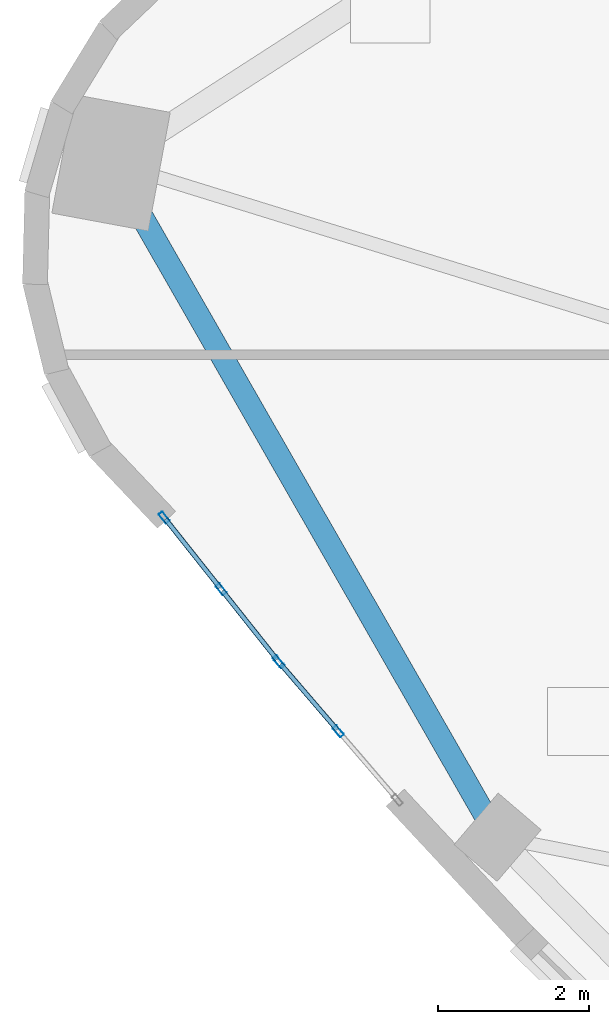
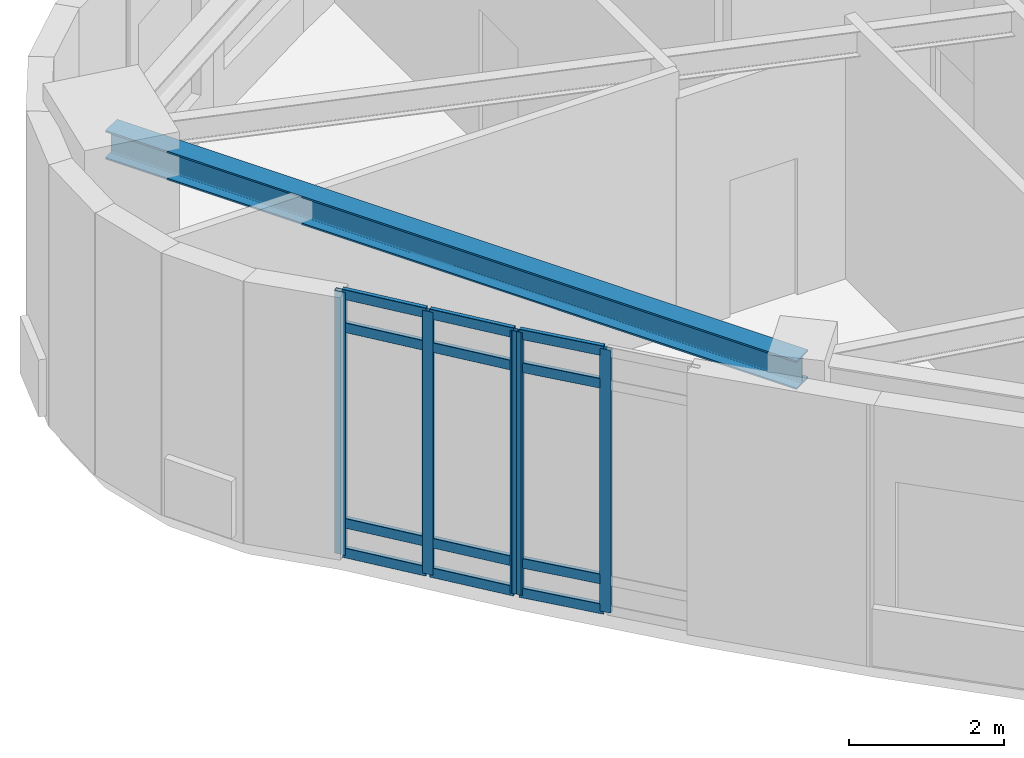
# One storey, part 5 of 19: 17 members, 1 beam, 2 elements without a shape of their own.
"""IFC4 building model written with IfcOpenShell, lengths in metres."""

from ifc_helpers import new_model, si_unit, direction, frame, origin, origin_2d, place, context, subcontext, project, spatial, hollow_rectangle, i_section, extrude, material, layer, layer_set, material_profile, profile_set, type_object, element, aggregate, save


model = new_model("IFC4")

# Units and contexts
model_context = context("Model", 3, precision=1e-05, world=origin(), true_north=direction((0.0, 1.0)))
body_context = subcontext(model_context, "Body", "Model", "MODEL_VIEW")
ifc_project = project(units=[si_unit("LENGTHUNIT", "METRE"), si_unit("AREAUNIT", "SQUARE_METRE"), si_unit("VOLUMEUNIT", "CUBIC_METRE"), si_unit("PLANEANGLEUNIT", "RADIAN"), si_unit("MASSUNIT", "GRAM", prefix="KILO")], contexts=[model_context])

# Site, building, storey
site_placement = place(None, origin())
site = spatial("IfcSite", under=ifc_project, at=site_placement, CompositionType="ELEMENT")
building_placement = place(site_placement, origin())
building = spatial("IfcBuilding", under=site, at=building_placement, Name="Ndelora Gate Hotel", CompositionType="ELEMENT")
storey_placement = place(building_placement, frame((0.0, 0.0, 286.0)))
storey = spatial("IfcBuildingStorey", under=building, at=storey_placement, Name="L71", CompositionType="ELEMENT", Elevation=286.0)

# Beam
ifc_material_1 = material(Name="Steel S355", Category="steel")
ifc_material_profile_1 = material_profile(ifc_material_1, i_section(OverallWidth=0.300048828125, OverallDepth=0.449951171875, WebThickness=0.013916015625, FlangeThickness=0.02587890625, FilletRadius=0.027099609375, at=origin_2d()), Name="HEB 450")
ifc_profile_set_1 = profile_set([ifc_material_profile_1], Name="Steel S355")
beam_type = type_object("IfcBeamType", Name="BM-RING-450", PredefinedType="SPANDREL", material=ifc_profile_set_1)
beam_placement = place(storey_placement, frame((-19.949951171875, 3.697509765625, 3.905029296875), z_axis=(0.497255333538, -0.867604249222, 0.0), x_axis=(0.867604249222, 0.497255333538, 0.0)))
element("IfcBeam", 1, at=beam_placement, inside=storey, type_object=beam_type, Name="L71 structural beam RB-5", PredefinedType="SPANDREL", context=body_context, shape_type="SweptSolid", body=[
    extrude(i_section(OverallWidth=0.300048828125, OverallDepth=0.449951171875, WebThickness=0.013916015625, FlangeThickness=0.02587890625, FilletRadius=0.027099609375, at=origin_2d()), origin(), (0.0, 0.0, 1.0), 10.3115234375),
])

# Curtain wall, members
ifc_material_2 = material(Name="Bronze Anodised Unitised Aluminium and Low-E Glass", Category="aluminium")
ifc_layer = layer(ifc_material_2, 0.219970703125)
ifc_layer_set = layer_set([ifc_layer], Name="Bronze Anodised Unitised Aluminium and Low-E Glass")
curtain_wall_type = type_object("IfcCurtainWallType", Name="CW-SYS-7", PredefinedType="NOTDEFINED", material=ifc_layer_set)
curtain_wall_1_placement = place(storey_placement, origin())
curtain_wall_1 = element("IfcCurtainWall", 2, at=curtain_wall_1_placement, inside=storey, type_object=curtain_wall_type, Name="L71 West Peak Horizon Observatory Curtain Wall 1", PredefinedType="NOTDEFINED")
ifc_material_3 = material(Name="Bronze Anodised Aluminium 6063-T6", Category="aluminium")
ifc_material_profile_2 = material_profile(ifc_material_3, hollow_rectangle(XDim=0.06494140625, YDim=0.159912109375, WallThickness=0.00390625, InnerFilletRadius=0.00390625, OuterFilletRadius=0.008056640625, at=origin_2d()), Name="ALU 160x65x4")
ifc_profile_set_2 = profile_set([ifc_material_profile_2], Name="Bronze Anodised Aluminium 6063-T6")
member_type_1 = type_object("IfcMemberType", Name="MB-CW-MUL150", PredefinedType="MULLION", material=ifc_profile_set_2)
member_1_placement = place(storey_placement, frame((-19.24462890625, -1.008544921875, -0.00390625), z_axis=(0.0, 0.0, 1.0), x_axis=(0.783317390578, 0.62162196359, 0.0)))
member_1 = element("IfcMember", 3, at=member_1_placement, type_object=member_type_1, Name="CW7 mullion 1", PredefinedType="MULLION", context=body_context, shape_type="SweptSolid", body=[
    extrude(hollow_rectangle(XDim=0.06494140625, YDim=0.159912109375, WallThickness=0.00390625, InnerFilletRadius=0.00390625, OuterFilletRadius=0.008056640625, at=origin_2d()), origin(), (0.0, 0.0, 1.0), 4.137939453125),
])
member_2_placement = place(storey_placement, frame((-18.489013671875, -1.960693359375, -0.00390625), z_axis=(0.0, 0.0, 1.0), x_axis=(0.783317390578, 0.62162196359, 0.0)))
member_2 = element("IfcMember", 4, at=member_2_placement, type_object=member_type_1, Name="CW7 mullion 2", PredefinedType="MULLION", context=body_context, shape_type="SweptSolid", body=[
    extrude(hollow_rectangle(XDim=0.06494140625, YDim=0.159912109375, WallThickness=0.00390625, InnerFilletRadius=0.00390625, OuterFilletRadius=0.008056640625, at=origin_2d()), origin(), (0.0, 0.0, 1.0), 4.137939453125),
])
member_3_placement = place(storey_placement, frame((-17.7333984375, -2.912841796875, -0.00390625), z_axis=(0.0, 0.0, 1.0), x_axis=(0.783317390578, 0.62162196359, 0.0)))
member_3 = element("IfcMember", 5, at=member_3_placement, type_object=member_type_1, Name="CW7 mullion 3", PredefinedType="MULLION", context=body_context, shape_type="SweptSolid", body=[
    extrude(hollow_rectangle(XDim=0.06494140625, YDim=0.159912109375, WallThickness=0.00390625, InnerFilletRadius=0.00390625, OuterFilletRadius=0.008056640625, at=origin_2d()), origin(), (0.0, 0.0, 1.0), 4.137939453125),
])

curtain_wall_2_placement = place(storey_placement, origin())
curtain_wall_2 = element("IfcCurtainWall", 6, at=curtain_wall_2_placement, inside=storey, type_object=curtain_wall_type, Name="L71 West Peak Horizon Observatory Curtain Wall 2", PredefinedType="NOTDEFINED")
member_4_placement = place(storey_placement, frame((-17.717529296875, -2.93212890625, -0.00390625), z_axis=(0.0, 0.0, 1.0), x_axis=(0.75852990573, 0.651638229475, 0.0)))
member_4 = element("IfcMember", 7, at=member_4_placement, type_object=member_type_1, Name="CW7 mullion 1", PredefinedType="MULLION", context=body_context, shape_type="SweptSolid", body=[
    extrude(hollow_rectangle(XDim=0.06494140625, YDim=0.159912109375, WallThickness=0.00390625, InnerFilletRadius=0.00390625, OuterFilletRadius=0.008056640625, at=origin_2d()), origin(), (0.0, 0.0, 1.0), 4.137939453125),
])
member_5_placement = place(storey_placement, frame((-16.934326171875, -3.84375, -0.00390625), z_axis=(0.0, 0.0, 1.0), x_axis=(0.75852990573, 0.651638229475, 0.0)))
member_5 = element("IfcMember", 8, at=member_5_placement, type_object=member_type_1, Name="CW7 mullion 2", PredefinedType="MULLION", context=body_context, shape_type="SweptSolid", body=[
    extrude(hollow_rectangle(XDim=0.06494140625, YDim=0.159912109375, WallThickness=0.00390625, InnerFilletRadius=0.00390625, OuterFilletRadius=0.008056640625, at=origin_2d()), origin(), (0.0, 0.0, 1.0), 4.137939453125),
])

# Member
ifc_material_profile_3 = material_profile(ifc_material_3, hollow_rectangle(XDim=0.06494140625, YDim=0.159912109375, WallThickness=0.00390625, InnerFilletRadius=0.00390625, OuterFilletRadius=0.008056640625, at=origin_2d()), Name="ALU 160x65x4")
ifc_profile_set_3 = profile_set([ifc_material_profile_3], Name="Bronze Anodised Aluminium 6063-T6")
member_type_2 = type_object("IfcMemberType", Name="MB-CW-TRN150", PredefinedType="USERDEFINED", material=ifc_profile_set_3)
member_6_placement = place(storey_placement, frame((-19.228271484375, -1.029296875, 0.032470703125), z_axis=(0.621616954834, -0.783321365382, 0.0), x_axis=(0.783321365382, 0.621616954834, 0.0)))
member_6 = element("IfcMember", 9, at=member_6_placement, type_object=member_type_2, Name="CW7 transom 1.1", ObjectType="TRANSOM", PredefinedType="USERDEFINED", context=body_context, shape_type="SweptSolid", body=[
    extrude(hollow_rectangle(XDim=0.06494140625, YDim=0.159912109375, WallThickness=0.00390625, InnerFilletRadius=0.00390625, OuterFilletRadius=0.008056640625, at=origin_2d()), origin(), (0.0, 0.0, 1.0), 1.16259765625),
])

member_7_placement = place(storey_placement, frame((-19.228271484375, -1.029296875, 0.5), z_axis=(0.621616954834, -0.783321365382, 0.0), x_axis=(0.783321365382, 0.621616954834, 0.0)))
member_7 = element("IfcMember", 10, at=member_7_placement, type_object=member_type_2, Name="CW7 transom 1.2", ObjectType="TRANSOM", PredefinedType="USERDEFINED", context=body_context, shape_type="SweptSolid", body=[
    extrude(hollow_rectangle(XDim=0.06494140625, YDim=0.159912109375, WallThickness=0.00390625, InnerFilletRadius=0.00390625, OuterFilletRadius=0.008056640625, at=origin_2d()), origin(), (0.0, 0.0, 1.0), 1.16259765625),
])

member_8_placement = place(storey_placement, frame((-19.228271484375, -1.029296875, 3.580078125), z_axis=(0.621616954834, -0.783321365382, 0.0), x_axis=(0.783321365382, 0.621616954834, 0.0)))
member_8 = element("IfcMember", 11, at=member_8_placement, type_object=member_type_2, Name="CW7 transom 1.3", ObjectType="TRANSOM", PredefinedType="USERDEFINED", context=body_context, shape_type="SweptSolid", body=[
    extrude(hollow_rectangle(XDim=0.06494140625, YDim=0.159912109375, WallThickness=0.00390625, InnerFilletRadius=0.00390625, OuterFilletRadius=0.008056640625, at=origin_2d()), origin(), (0.0, 0.0, 1.0), 1.16259765625),
])

member_9_placement = place(storey_placement, frame((-19.228271484375, -1.029296875, 4.097412109375), z_axis=(0.621616954834, -0.783321365382, 0.0), x_axis=(0.783321365382, 0.621616954834, 0.0)))
member_9 = element("IfcMember", 12, at=member_9_placement, type_object=member_type_2, Name="CW7 transom 1.4", ObjectType="TRANSOM", PredefinedType="USERDEFINED", context=body_context, shape_type="SweptSolid", body=[
    extrude(hollow_rectangle(XDim=0.06494140625, YDim=0.159912109375, WallThickness=0.00390625, InnerFilletRadius=0.00390625, OuterFilletRadius=0.008056640625, at=origin_2d()), origin(), (0.0, 0.0, 1.0), 1.16259765625),
])

member_10_placement = place(storey_placement, frame((-18.47265625, -1.9814453125, 0.032470703125), z_axis=(0.621616954834, -0.783321365382, 0.0), x_axis=(0.783321365382, 0.621616954834, 0.0)))
member_10 = element("IfcMember", 13, at=member_10_placement, type_object=member_type_2, Name="CW7 transom 2.1", ObjectType="TRANSOM", PredefinedType="USERDEFINED", context=body_context, shape_type="SweptSolid", body=[
    extrude(hollow_rectangle(XDim=0.06494140625, YDim=0.159912109375, WallThickness=0.00390625, InnerFilletRadius=0.00390625, OuterFilletRadius=0.008056640625, at=origin_2d()), origin(), (0.0, 0.0, 1.0), 1.16259765625),
])

member_11_placement = place(storey_placement, frame((-18.47265625, -1.9814453125, 0.5), z_axis=(0.621616954834, -0.783321365382, 0.0), x_axis=(0.783321365382, 0.621616954834, 0.0)))
member_11 = element("IfcMember", 14, at=member_11_placement, type_object=member_type_2, Name="CW7 transom 2.2", ObjectType="TRANSOM", PredefinedType="USERDEFINED", context=body_context, shape_type="SweptSolid", body=[
    extrude(hollow_rectangle(XDim=0.06494140625, YDim=0.159912109375, WallThickness=0.00390625, InnerFilletRadius=0.00390625, OuterFilletRadius=0.008056640625, at=origin_2d()), origin(), (0.0, 0.0, 1.0), 1.16259765625),
])

member_12_placement = place(storey_placement, frame((-18.47265625, -1.9814453125, 3.580078125), z_axis=(0.621616954834, -0.783321365382, 0.0), x_axis=(0.783321365382, 0.621616954834, 0.0)))
member_12 = element("IfcMember", 15, at=member_12_placement, type_object=member_type_2, Name="CW7 transom 2.3", ObjectType="TRANSOM", PredefinedType="USERDEFINED", context=body_context, shape_type="SweptSolid", body=[
    extrude(hollow_rectangle(XDim=0.06494140625, YDim=0.159912109375, WallThickness=0.00390625, InnerFilletRadius=0.00390625, OuterFilletRadius=0.008056640625, at=origin_2d()), origin(), (0.0, 0.0, 1.0), 1.16259765625),
])

member_13_placement = place(storey_placement, frame((-18.47265625, -1.9814453125, 4.097412109375), z_axis=(0.621616954834, -0.783321365382, 0.0), x_axis=(0.783321365382, 0.621616954834, 0.0)))
member_13 = element("IfcMember", 16, at=member_13_placement, type_object=member_type_2, Name="CW7 transom 2.4", ObjectType="TRANSOM", PredefinedType="USERDEFINED", context=body_context, shape_type="SweptSolid", body=[
    extrude(hollow_rectangle(XDim=0.06494140625, YDim=0.159912109375, WallThickness=0.00390625, InnerFilletRadius=0.00390625, OuterFilletRadius=0.008056640625, at=origin_2d()), origin(), (0.0, 0.0, 1.0), 1.16259765625),
])

aggregate(curtain_wall_1, [member_1, member_2, member_3, member_6, member_7, member_8, member_9, member_10, member_11, member_12, member_13])

member_14_placement = place(storey_placement, frame((-17.7001953125, -2.9521484375, 0.032470703125), z_axis=(0.651526069725, -0.75862624557, 0.0), x_axis=(0.75862624557, 0.651526069725, 0.0)))
member_14 = element("IfcMember", 17, at=member_14_placement, type_object=member_type_2, Name="CW7 transom 1.1", ObjectType="TRANSOM", PredefinedType="USERDEFINED", context=body_context, shape_type="SweptSolid", body=[
    extrude(hollow_rectangle(XDim=0.06494140625, YDim=0.159912109375, WallThickness=0.00390625, InnerFilletRadius=0.00390625, OuterFilletRadius=0.008056640625, at=origin_2d()), origin(), (0.0, 0.0, 1.0), 1.14892578125),
])

member_15_placement = place(storey_placement, frame((-17.7001953125, -2.9521484375, 0.5), z_axis=(0.651526069725, -0.75862624557, 0.0), x_axis=(0.75862624557, 0.651526069725, 0.0)))
member_15 = element("IfcMember", 18, at=member_15_placement, type_object=member_type_2, Name="CW7 transom 1.2", ObjectType="TRANSOM", PredefinedType="USERDEFINED", context=body_context, shape_type="SweptSolid", body=[
    extrude(hollow_rectangle(XDim=0.06494140625, YDim=0.159912109375, WallThickness=0.00390625, InnerFilletRadius=0.00390625, OuterFilletRadius=0.008056640625, at=origin_2d()), origin(), (0.0, 0.0, 1.0), 1.14892578125),
])

member_16_placement = place(storey_placement, frame((-17.7001953125, -2.9521484375, 3.580078125), z_axis=(0.651526069725, -0.75862624557, 0.0), x_axis=(0.75862624557, 0.651526069725, 0.0)))
member_16 = element("IfcMember", 19, at=member_16_placement, type_object=member_type_2, Name="CW7 transom 1.3", ObjectType="TRANSOM", PredefinedType="USERDEFINED", context=body_context, shape_type="SweptSolid", body=[
    extrude(hollow_rectangle(XDim=0.06494140625, YDim=0.159912109375, WallThickness=0.00390625, InnerFilletRadius=0.00390625, OuterFilletRadius=0.008056640625, at=origin_2d()), origin(), (0.0, 0.0, 1.0), 1.14892578125),
])

member_17_placement = place(storey_placement, frame((-17.7001953125, -2.9521484375, 4.097412109375), z_axis=(0.651526069725, -0.75862624557, 0.0), x_axis=(0.75862624557, 0.651526069725, 0.0)))
member_17 = element("IfcMember", 20, at=member_17_placement, type_object=member_type_2, Name="CW7 transom 1.4", ObjectType="TRANSOM", PredefinedType="USERDEFINED", context=body_context, shape_type="SweptSolid", body=[
    extrude(hollow_rectangle(XDim=0.06494140625, YDim=0.159912109375, WallThickness=0.00390625, InnerFilletRadius=0.00390625, OuterFilletRadius=0.008056640625, at=origin_2d()), origin(), (0.0, 0.0, 1.0), 1.14892578125),
])

aggregate(curtain_wall_2, [member_4, member_5, member_14, member_15, member_16, member_17])

save(model, "model.ifc")
